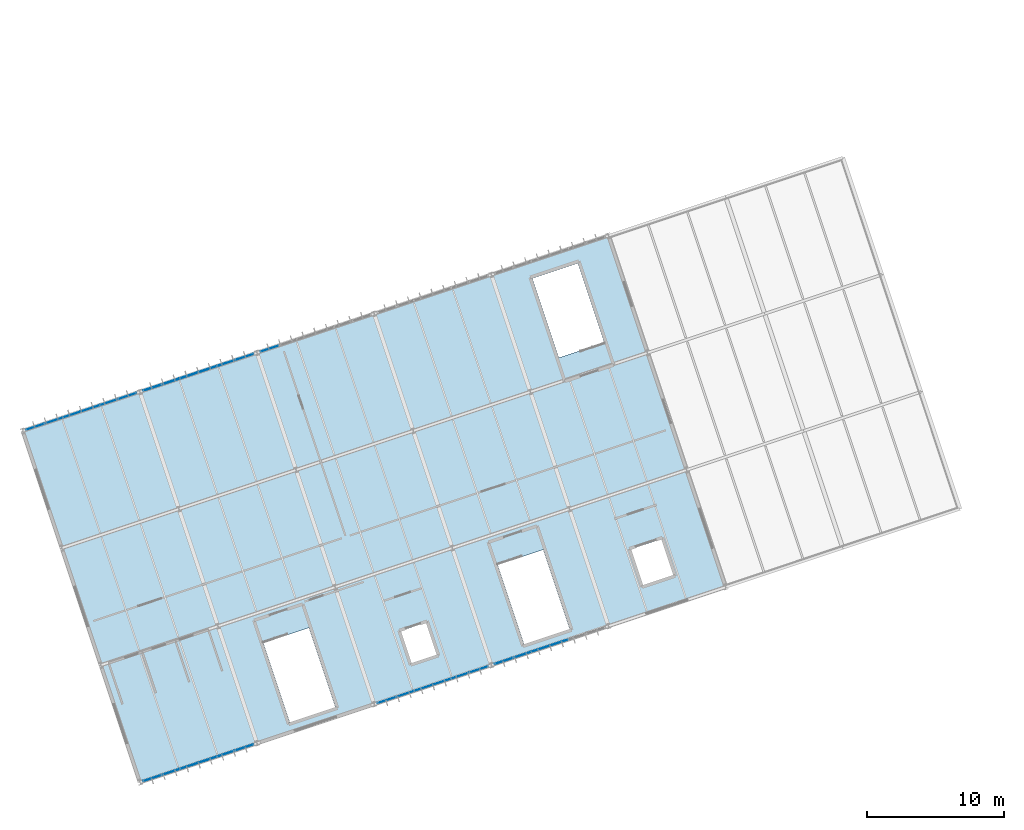
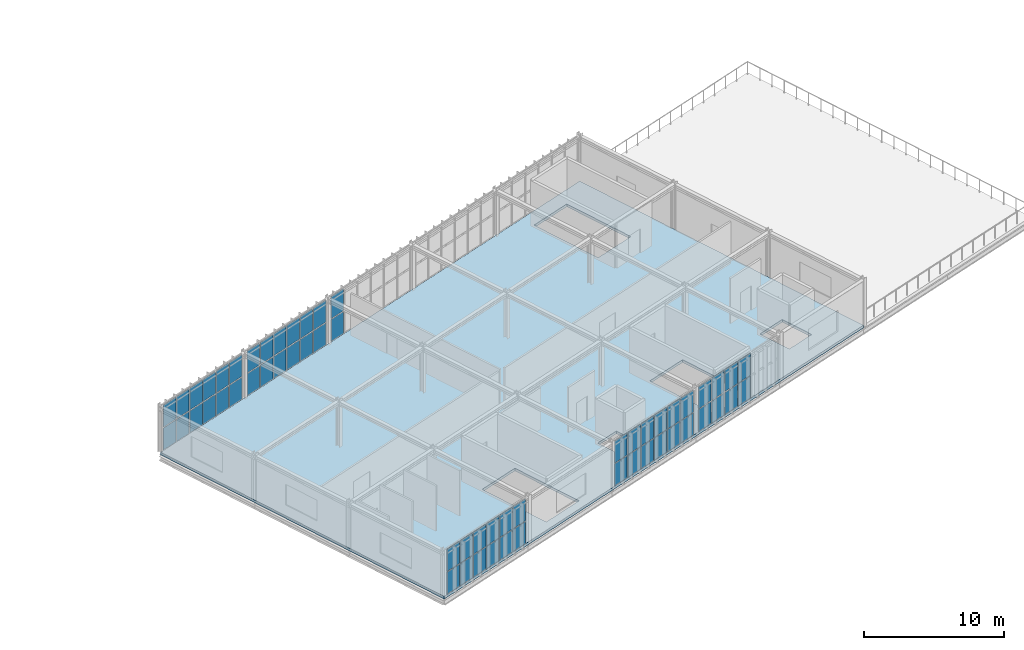
# One storey, part 40 of 61: 58 plates, 1 slab, 6 elements without a shape of their own.
"""IFC4 building model written with IfcOpenShell, lengths in metres."""

import ifcopenshell
import ifcopenshell.guid

model = None  # the IFC model being written
_history = None  # IfcOwnerHistory: only IFC2X3 demands one
_inside = {}  # id of a spatial element -> (the spatial element, [elements in it])
_under = {}  # id of a project, library or spatial element -> (it, [spatial elements below it])
_declared = {}  # id of a project -> (the project, [libraries it declares])
_typed = {}  # id of a type object -> (the type object, [elements of that type])
_made_of = {}  # id of a material, layer set ... -> (it, [elements and type objects made of it])


def new_model(schema):
    """Start an empty IFC model of exactly this schema.

    Asked for "IFC4X3", IfcOpenShell would pick the latest addendum, in which some entities
    have other attributes; the version numbers below select the first issue.
    IFC2X3 requires an IfcOwnerHistory on every rooted entity: one is made here for all.
    """
    global model, _history
    if schema == "IFC4X3":
        model = ifcopenshell.file(schema_version=(4, 3, 0, 0))
    else:
        model = ifcopenshell.file(schema=schema)
    _inside.clear()
    _under.clear()
    _declared.clear()
    _typed.clear()
    _made_of.clear()
    _history = None
    if model.schema == "IFC2X3":
        org = make("IfcOrganization", Name="unknown")
        user = make(
            "IfcPersonAndOrganization",
            ThePerson=make("IfcPerson", FamilyName="unknown"),
            TheOrganization=org,
        )
        app = make(
            "IfcApplication",
            ApplicationDeveloper=org,
            Version="unknown",
            ApplicationFullName="unknown",
            ApplicationIdentifier="unknown",
        )
        _history = make(
            "IfcOwnerHistory",
            OwningUser=user,
            OwningApplication=app,
            ChangeAction="ADDED",
            CreationDate=0,
        )
    return model


def make(cls, **values):
    """One entity of the class cls with the attributes given. An attribute that is None is left unset."""
    return model.create_entity(
        cls, **{name: value for name, value in values.items() if value is not None}
    )


def rooted(cls, **values):
    """An entity with a GlobalId (a new one), such as an element, a storey or a relation."""
    return make(cls, GlobalId=ifcopenshell.guid.new(), OwnerHistory=_history, **values)


def si_unit(unit_type, name, prefix=None):
    """IfcSIUnit, for example si_unit("LENGTHUNIT", "METRE", prefix="MILLI")."""
    return make("IfcSIUnit", UnitType=unit_type, Prefix=prefix, Name=name)


def derived_unit(unit_type, elements):
    """IfcDerivedUnit: a product of units, each with its exponent."""
    return make(
        "IfcDerivedUnit",
        Elements=[
            make("IfcDerivedUnitElement", Unit=unit, Exponent=power)
            for unit, power in elements
        ],
        UnitType=unit_type,
    )


def assignment(units):
    """IfcUnitAssignment: the units of a project."""
    return None if units is None else make("IfcUnitAssignment", Units=units)


def point(xyz):
    """IfcCartesianPoint."""
    return None if xyz is None else make("IfcCartesianPoint", Coordinates=xyz)


def direction(xyz):
    """IfcDirection."""
    return None if xyz is None else make("IfcDirection", DirectionRatios=xyz)


def frame(location, z_axis=None, x_axis=None):
    """IfcAxis2Placement3D, a coordinate frame: its origin and axes. An axis left out is left unset."""
    return make(
        "IfcAxis2Placement3D",
        Location=point(location),
        Axis=direction(z_axis),
        RefDirection=direction(x_axis),
    )


def frame_2d(location, x_axis=None):
    """IfcAxis2Placement2D, a coordinate frame in the plane: its origin and x axis."""
    return make(
        "IfcAxis2Placement2D", Location=point(location), RefDirection=direction(x_axis)
    )


def origin():
    """The frame at (0, 0, 0) with its axes left unset."""
    return frame((0.0, 0.0, 0.0))


def origin_2d():
    """The frame at (0, 0) in the plane with its x axis left unset."""
    return frame_2d((0.0, 0.0))


def place(relative_to, where):
    """IfcLocalPlacement: puts the frame where relative to a parent placement (None: the world)."""
    return make(
        "IfcLocalPlacement", PlacementRelTo=relative_to, RelativePlacement=where
    )


def context(
    kind, dimensions, precision=None, world=None, true_north=None, identifier=None
):
    """IfcGeometricRepresentationContext, for example the 3D "Model" context."""
    return make(
        "IfcGeometricRepresentationContext",
        ContextIdentifier=identifier,
        ContextType=kind,
        CoordinateSpaceDimension=dimensions,
        Precision=precision,
        WorldCoordinateSystem=world,
        TrueNorth=true_north,
    )


def subcontext(parent, identifier, kind, view, scale=None):
    """IfcGeometricRepresentationSubContext, for example "Body" below "Model"."""
    return make(
        "IfcGeometricRepresentationSubContext",
        ContextIdentifier=identifier,
        ContextType=kind,
        ParentContext=parent,
        TargetScale=scale,
        TargetView=view,
    )


def project(units=None, contexts=None):
    """IfcProject with its units and contexts."""
    return rooted(
        "IfcProject",
        Name="project",
        RepresentationContexts=contexts,
        UnitsInContext=assignment(units),
    )


def spatial(cls, under=None, at=None, **own):
    """A site, building, storey or space (cls), placed at a placement, below another one or the project."""
    s = rooted(cls, ObjectPlacement=at, **own)
    if under is not None:
        _under.setdefault(under.id(), (under, []))[1].append(s)
    return s


def polyline(points):
    """IfcPolyline through the points."""
    return make("IfcPolyline", Points=[point(p) for p in points])


def profile(cls, at=None, kind="AREA", **sizes):
    """A parametric profile (cls). Its sizes go by their IFC names, for example OverallWidth=200.0."""
    return make(cls, ProfileType=kind, Position=at, **sizes)


def rectangle(**sizes):
    """IfcRectangleProfileDef."""
    return profile("IfcRectangleProfileDef", **sizes)


def outline(outer, holes=None, kind="AREA"):
    """IfcArbitraryClosedProfileDef: a profile drawn as a closed curve; with holes, ...WithVoids."""
    if holes is None:
        return make("IfcArbitraryClosedProfileDef", ProfileType=kind, OuterCurve=outer)
    return make(
        "IfcArbitraryProfileDefWithVoids",
        ProfileType=kind,
        OuterCurve=outer,
        InnerCurves=holes,
    )


def extrude(swept, where, along, depth):
    """IfcExtrudedAreaSolid: the profile swept, set in the frame where, extruded along a direction by depth."""
    return make(
        "IfcExtrudedAreaSolid",
        SweptArea=swept,
        Position=where,
        ExtrudedDirection=direction(along),
        Depth=depth,
    )


def shape(context_of_items, identifier, shape_type, items):
    """IfcShapeRepresentation: the items that make up one representation, for example the "Body"."""
    return make(
        "IfcShapeRepresentation",
        ContextOfItems=context_of_items,
        RepresentationIdentifier=identifier,
        RepresentationType=shape_type,
        Items=items,
    )


def material(Name=None, Category=None):
    """IfcMaterial."""
    return make("IfcMaterial", Name=Name, Category=Category)


def layer(
    of_material, thickness, ventilated=None, Name=None, Category=None, Priority=None
):
    """IfcMaterialLayer: one layer of a wall or slab, of a material (None: an air gap)."""
    return make(
        "IfcMaterialLayer",
        Material=of_material,
        LayerThickness=thickness,
        IsVentilated=ventilated,
        Name=Name,
        Category=Category,
        Priority=Priority,
    )


def layer_set(layers, Name=None):
    """IfcMaterialLayerSet."""
    return make("IfcMaterialLayerSet", MaterialLayers=layers, LayerSetName=Name)


def made_of(thing, what):
    """Note that an element or type object is made of a material, layer set ...; save() writes the relation."""
    if what is not None:
        _made_of.setdefault(what.id(), (what, []))[1].append(thing)
    return thing


def type_object(cls, material=None, **own):
    """A type object (cls), such as IfcWallType, which elements share."""
    return made_of(rooted(cls, **own), material)


def element(
    cls,
    number,
    at=None,
    inside=None,
    cuts=None,
    type_object=None,
    material=None,
    context=None,
    identifier="Body",
    shape_type=None,
    held_by="IfcProductDefinitionShape",
    body=None,
    shapes=None,
    **own,
):
    """One element of the class cls, such as IfcWall. Its Tag is "e" and its number.

    at: its placement. inside: the storey or other place that contains it. cuts: it is an
    opening in that element (IfcRelVoidsElement). A single representation is given by context,
    identifier, shape_type and body (its items); several are given by shapes. held_by: the class
    of the entity that holds the representations. save() writes the other relations.
    """
    e = rooted(cls, Tag="e%d" % number, ObjectPlacement=at, **own)
    if body is not None:
        shapes = [shape(context, identifier, shape_type, body)]
    if shapes is not None:
        e.Representation = make(held_by, Representations=shapes)
    if inside is not None:
        _inside.setdefault(inside.id(), (inside, []))[1].append(e)
    if cuts is not None:
        rooted(
            "IfcRelVoidsElement", RelatingBuildingElement=cuts, RelatedOpeningElement=e
        )
    if type_object is not None:
        _typed.setdefault(type_object.id(), (type_object, []))[1].append(e)
    return made_of(e, material)


def aggregate(whole, parts):
    """IfcRelAggregates: a whole, such as a stair, and the parts it consists of."""
    return rooted("IfcRelAggregates", RelatingObject=whole, RelatedObjects=parts)


def save(model, path):
    """Write the relations noted so far, then the file.

    IfcRelAggregates (storeys below a building ...), IfcRelContainedInSpatialStructure (elements
    in a storey), IfcRelDefinesByType, IfcRelAssociatesMaterial and IfcRelDeclares: one each for
    every whole, place, type object, material and project.
    """
    for whole, parts in _under.values():
        aggregate(whole, parts)
    for where, things in _inside.values():
        rooted(
            "IfcRelContainedInSpatialStructure",
            RelatedElements=things,
            RelatingStructure=where,
        )
    for kind, things in _typed.values():
        rooted("IfcRelDefinesByType", RelatedObjects=things, RelatingType=kind)
    for what, things in _made_of.values():
        rooted("IfcRelAssociatesMaterial", RelatedObjects=things, RelatingMaterial=what)
    for by, libraries in _declared.values():
        rooted("IfcRelDeclares", RelatingContext=by, RelatedDefinitions=libraries)
    model.write(path)


model = new_model("IFC4")

# Units and contexts
model_context = context("Model", 3, precision=1e-05, world=origin(), true_north=direction((0.0, 1.0)))
body_context = subcontext(model_context, "Body", "Model", "MODEL_VIEW")
ifc_project = project(units=[si_unit("LENGTHUNIT", "METRE"), si_unit("AREAUNIT", "SQUARE_METRE"), si_unit("VOLUMEUNIT", "CUBIC_METRE"), si_unit("PLANEANGLEUNIT", "RADIAN"), si_unit("MASSUNIT", "GRAM", prefix="KILO"), si_unit("THERMODYNAMICTEMPERATUREUNIT", "KELVIN"), si_unit("TIMEUNIT", "SECOND"), derived_unit("THERMALTRANSMITTANCEUNIT", [(si_unit("MASSUNIT", "GRAM", prefix="KILO"), 1), (si_unit("THERMODYNAMICTEMPERATUREUNIT", "KELVIN"), -1), (si_unit("TIMEUNIT", "SECOND"), -3)])], contexts=[model_context])

# Site, building, storey
site_placement = place(None, origin())
site = spatial("IfcSite", under=ifc_project, at=site_placement, CompositionType="ELEMENT")
building_placement = place(site_placement, origin())
building = spatial("IfcBuilding", under=site, at=building_placement, Name="Cambertide Market Hall", CompositionType="ELEMENT")
storey_placement = place(building_placement, frame((0.0, 0.0, 9.89990234375)))
storey = spatial("IfcBuildingStorey", under=building, at=storey_placement, Name="L03", CompositionType="ELEMENT", Elevation=9.89990234375)

# Slab
ifc_material_1 = material(Name="Concrete B30", Category="concrete")
ifc_layer_1 = layer(ifc_material_1, 0.22998046875, Name="Upper Tasting Hall Slab 230")
ifc_layer_set_1 = layer_set([ifc_layer_1], Name="Concrete B30")
slab_type = type_object("IfcSlabType", Name="Upper Tasting Hall Slab 230", PredefinedType="FLOOR", material=ifc_layer_set_1)
slab_placement = place(storey_placement, frame((0.0, 0.0, -0.22998046875)))
element("IfcSlab", 1, at=slab_placement, inside=storey, type_object=slab_type, Name="Level 3 Slab SLB-L03-V3-IN", PredefinedType="FLOOR", context=body_context, shape_type="SweptSolid", body=[
    extrude(outline(polyline([(106.0, 12.0), (148.690673828125, 26.230224609375), (140.152587890625, 51.8447265625), (97.4619140625, 37.614501953125), (106.0, 12.0)]), holes=[polyline([(118.318359375, 23.269775390625), (120.24609375, 17.486572265625), (116.92578125, 16.379638671875), (114.998046875, 22.162841796875), (118.318359375, 23.269775390625)]), polyline([(135.39453125, 28.9619140625), (137.322265625, 23.1787109375), (134.001953125, 22.07177734375), (132.07421875, 27.85498046875), (135.39453125, 28.9619140625)]), polyline([(136.530517578125, 42.94677734375), (134.602783203125, 48.729736328125), (137.923095703125, 49.836669921875), (139.850830078125, 44.053466796875), (136.530517578125, 42.94677734375)]), polyline([(124.989501953125, 23.0205078125), (126.886962890625, 23.653076171875), (127.677490234375, 21.28125), (125.780029296875, 20.64892578125), (124.989501953125, 23.0205078125)]), polyline([(141.765380859375, 28.9814453125), (144.042236328125, 29.740478515625), (144.927734375, 27.083984375), (142.65087890625, 26.3251953125), (141.765380859375, 28.9814453125)])]), origin(), (0.0, 0.0, 1.0), 0.22998046875),
])

# Curtain wall, plates
ifc_material_2 = material(Name="Marine Anodized Aluminium 6063-T6 AA25", Category="aluminium")
curtain_wall_type = type_object("IfcCurtainWallType", Name="Tasting Hall Panorama Curtain Wall", PredefinedType="USERDEFINED", material=ifc_material_2)
curtain_wall_1_placement = place(storey_placement, origin())
curtain_wall_1 = element("IfcCurtainWall", 2, at=curtain_wall_1_placement, inside=storey, type_object=curtain_wall_type, Name="Level 3 Curtain Wall CW-V3N-L03-1", ObjectType="UNITIZED CURTAIN WALL", PredefinedType="USERDEFINED")
ifc_material_3 = material(Name="Low-E Laminated Insulated Glass", Category="glass")
ifc_layer_2 = layer(ifc_material_3, 0.028076171875, Name="Vision Insulated Glazing Panel 28")
ifc_layer_set_2 = layer_set([ifc_layer_2], Name="Low-E Laminated Insulated Glass")
plate_type = type_object("IfcPlateType", Name="Vision Insulated Glazing Panel 28", PredefinedType="CURTAIN_PANEL", material=ifc_layer_set_2)
plate_1_placement = place(storey_placement, frame((98.363037109375, 37.914794921875, 0.0400390625), z_axis=(0.0, 0.0, 1.0), x_axis=(0.948683321523, 0.316227695598, 0.0)))
plate_1 = element("IfcPlate", 3, at=plate_1_placement, type_object=plate_type, Name="CW-V3N-L03-1 Glazing Panel 1-1", PredefinedType="CURTAIN_PANEL", context=body_context, shape_type="SweptSolid", body=[
    extrude(rectangle(XDim=1.340087890625, YDim=0.028076171875, at=origin_2d()), origin(), (0.0, 0.0, 1.0), 1.909912109375),
])
plate_2_placement = place(storey_placement, frame((99.710205078125, 38.364013671875, 0.0400390625), z_axis=(0.0, 0.0, 1.0), x_axis=(0.948683321523, 0.316227695598, 0.0)))
plate_2 = element("IfcPlate", 4, at=plate_2_placement, type_object=plate_type, Name="CW-V3N-L03-1 Glazing Panel 1-2", PredefinedType="CURTAIN_PANEL", context=body_context, shape_type="SweptSolid", body=[
    extrude(rectangle(XDim=1.340087890625, YDim=0.028076171875, at=origin_2d()), origin(), (0.0, 0.0, 1.0), 1.909912109375),
])
plate_3_placement = place(storey_placement, frame((101.057373046875, 38.81298828125, 0.0400390625), z_axis=(0.0, 0.0, 1.0), x_axis=(0.948683321523, 0.316227695598, 0.0)))
plate_3 = element("IfcPlate", 5, at=plate_3_placement, type_object=plate_type, Name="CW-V3N-L03-1 Glazing Panel 1-3", PredefinedType="CURTAIN_PANEL", context=body_context, shape_type="SweptSolid", body=[
    extrude(rectangle(XDim=1.340087890625, YDim=0.028076171875, at=origin_2d()), origin(), (0.0, 0.0, 1.0), 1.909912109375),
])
plate_4_placement = place(storey_placement, frame((102.404541015625, 39.261962890625, 0.0400390625), z_axis=(0.0, 0.0, 1.0), x_axis=(0.948683321523, 0.316227695598, 0.0)))
plate_4 = element("IfcPlate", 6, at=plate_4_placement, type_object=plate_type, Name="CW-V3N-L03-1 Glazing Panel 1-4", PredefinedType="CURTAIN_PANEL", context=body_context, shape_type="SweptSolid", body=[
    extrude(rectangle(XDim=1.340087890625, YDim=0.028076171875, at=origin_2d()), origin(), (0.0, 0.0, 1.0), 1.909912109375),
])
plate_5_placement = place(storey_placement, frame((103.751708984375, 39.7109375, 0.0400390625), z_axis=(0.0, 0.0, 1.0), x_axis=(0.948683321523, 0.316227695598, 0.0)))
plate_5 = element("IfcPlate", 7, at=plate_5_placement, type_object=plate_type, Name="CW-V3N-L03-1 Glazing Panel 1-5", PredefinedType="CURTAIN_PANEL", context=body_context, shape_type="SweptSolid", body=[
    extrude(rectangle(XDim=1.340087890625, YDim=0.028076171875, at=origin_2d()), origin(), (0.0, 0.0, 1.0), 1.909912109375),
])
plate_6_placement = place(storey_placement, frame((105.0986328125, 40.16015625, 0.0400390625), z_axis=(0.0, 0.0, 1.0), x_axis=(0.948683321523, 0.316227695598, 0.0)))
plate_6 = element("IfcPlate", 8, at=plate_6_placement, type_object=plate_type, Name="CW-V3N-L03-1 Glazing Panel 1-6", PredefinedType="CURTAIN_PANEL", context=body_context, shape_type="SweptSolid", body=[
    extrude(rectangle(XDim=1.340087890625, YDim=0.028076171875, at=origin_2d()), origin(), (0.0, 0.0, 1.0), 1.909912109375),
])
plate_7_placement = place(storey_placement, frame((98.363037109375, 37.914794921875, 2.0302734375), z_axis=(0.0, 0.0, 1.0), x_axis=(0.948683321523, 0.316227695598, 0.0)))
plate_7 = element("IfcPlate", 9, at=plate_7_placement, type_object=plate_type, Name="CW-V3N-L03-1 Glazing Panel 2-1", PredefinedType="CURTAIN_PANEL", context=body_context, shape_type="SweptSolid", body=[
    extrude(rectangle(XDim=1.340087890625, YDim=0.028076171875, at=origin_2d()), origin(), (0.0, 0.0, 1.0), 1.909912109375),
])
plate_8_placement = place(storey_placement, frame((99.710205078125, 38.364013671875, 2.0302734375), z_axis=(0.0, 0.0, 1.0), x_axis=(0.948683321523, 0.316227695598, 0.0)))
plate_8 = element("IfcPlate", 10, at=plate_8_placement, type_object=plate_type, Name="CW-V3N-L03-1 Glazing Panel 2-2", PredefinedType="CURTAIN_PANEL", context=body_context, shape_type="SweptSolid", body=[
    extrude(rectangle(XDim=1.340087890625, YDim=0.028076171875, at=origin_2d()), origin(), (0.0, 0.0, 1.0), 1.909912109375),
])
plate_9_placement = place(storey_placement, frame((101.057373046875, 38.81298828125, 2.0302734375), z_axis=(0.0, 0.0, 1.0), x_axis=(0.948683321523, 0.316227695598, 0.0)))
plate_9 = element("IfcPlate", 11, at=plate_9_placement, type_object=plate_type, Name="CW-V3N-L03-1 Glazing Panel 2-3", PredefinedType="CURTAIN_PANEL", context=body_context, shape_type="SweptSolid", body=[
    extrude(rectangle(XDim=1.340087890625, YDim=0.028076171875, at=origin_2d()), origin(), (0.0, 0.0, 1.0), 1.909912109375),
])
plate_10_placement = place(storey_placement, frame((102.404541015625, 39.261962890625, 2.0302734375), z_axis=(0.0, 0.0, 1.0), x_axis=(0.948683321523, 0.316227695598, 0.0)))
plate_10 = element("IfcPlate", 12, at=plate_10_placement, type_object=plate_type, Name="CW-V3N-L03-1 Glazing Panel 2-4", PredefinedType="CURTAIN_PANEL", context=body_context, shape_type="SweptSolid", body=[
    extrude(rectangle(XDim=1.340087890625, YDim=0.028076171875, at=origin_2d()), origin(), (0.0, 0.0, 1.0), 1.909912109375),
])
plate_11_placement = place(storey_placement, frame((103.751708984375, 39.7109375, 2.0302734375), z_axis=(0.0, 0.0, 1.0), x_axis=(0.948683321523, 0.316227695598, 0.0)))
plate_11 = element("IfcPlate", 13, at=plate_11_placement, type_object=plate_type, Name="CW-V3N-L03-1 Glazing Panel 2-5", PredefinedType="CURTAIN_PANEL", context=body_context, shape_type="SweptSolid", body=[
    extrude(rectangle(XDim=1.340087890625, YDim=0.028076171875, at=origin_2d()), origin(), (0.0, 0.0, 1.0), 1.909912109375),
])
plate_12_placement = place(storey_placement, frame((105.0986328125, 40.16015625, 2.0302734375), z_axis=(0.0, 0.0, 1.0), x_axis=(0.948683321523, 0.316227695598, 0.0)))
plate_12 = element("IfcPlate", 14, at=plate_12_placement, type_object=plate_type, Name="CW-V3N-L03-1 Glazing Panel 2-6", PredefinedType="CURTAIN_PANEL", context=body_context, shape_type="SweptSolid", body=[
    extrude(rectangle(XDim=1.340087890625, YDim=0.028076171875, at=origin_2d()), origin(), (0.0, 0.0, 1.0), 1.909912109375),
])
aggregate(curtain_wall_1, [plate_1, plate_2, plate_3, plate_4, plate_5, plate_6, plate_7, plate_8, plate_9, plate_10, plate_11, plate_12])

curtain_wall_2_placement = place(storey_placement, origin())
curtain_wall_2 = element("IfcCurtainWall", 15, at=curtain_wall_2_placement, inside=storey, type_object=curtain_wall_type, Name="Level 3 Curtain Wall CW-V3S-L03-1", ObjectType="UNITIZED CURTAIN WALL", PredefinedType="USERDEFINED")
plate_13_placement = place(storey_placement, frame((113.636962890625, 14.545654296875, 0.0400390625), z_axis=(0.0, 0.0, 1.0), x_axis=(-0.948683321523, -0.316227695598, 0.0)))
plate_13 = element("IfcPlate", 16, at=plate_13_placement, type_object=plate_type, Name="CW-V3S-L03-1 Glazing Panel 1-1", PredefinedType="CURTAIN_PANEL", context=body_context, shape_type="SweptSolid", body=[
    extrude(rectangle(XDim=1.340087890625, YDim=0.028076171875, at=origin_2d()), origin(), (0.0, 0.0, 1.0), 1.909912109375),
])
plate_14_placement = place(storey_placement, frame((112.289794921875, 14.0966796875, 0.0400390625), z_axis=(0.0, 0.0, 1.0), x_axis=(-0.948683321523, -0.316227695598, 0.0)))
plate_14 = element("IfcPlate", 17, at=plate_14_placement, type_object=plate_type, Name="CW-V3S-L03-1 Glazing Panel 1-2", PredefinedType="CURTAIN_PANEL", context=body_context, shape_type="SweptSolid", body=[
    extrude(rectangle(XDim=1.340087890625, YDim=0.028076171875, at=origin_2d()), origin(), (0.0, 0.0, 1.0), 1.909912109375),
])
plate_15_placement = place(storey_placement, frame((110.942626953125, 13.6474609375, 0.0400390625), z_axis=(0.0, 0.0, 1.0), x_axis=(-0.948683321523, -0.316227695598, 0.0)))
plate_15 = element("IfcPlate", 18, at=plate_15_placement, type_object=plate_type, Name="CW-V3S-L03-1 Glazing Panel 1-3", PredefinedType="CURTAIN_PANEL", context=body_context, shape_type="SweptSolid", body=[
    extrude(rectangle(XDim=1.340087890625, YDim=0.028076171875, at=origin_2d()), origin(), (0.0, 0.0, 1.0), 1.909912109375),
])
plate_16_placement = place(storey_placement, frame((109.595458984375, 13.198486328125, 0.0400390625), z_axis=(0.0, 0.0, 1.0), x_axis=(-0.948683321523, -0.316227695598, 0.0)))
plate_16 = element("IfcPlate", 19, at=plate_16_placement, type_object=plate_type, Name="CW-V3S-L03-1 Glazing Panel 1-4", PredefinedType="CURTAIN_PANEL", context=body_context, shape_type="SweptSolid", body=[
    extrude(rectangle(XDim=1.340087890625, YDim=0.028076171875, at=origin_2d()), origin(), (0.0, 0.0, 1.0), 1.909912109375),
])
plate_17_placement = place(storey_placement, frame((108.248291015625, 12.74951171875, 0.0400390625), z_axis=(0.0, 0.0, 1.0), x_axis=(-0.948683321523, -0.316227695598, 0.0)))
plate_17 = element("IfcPlate", 20, at=plate_17_placement, type_object=plate_type, Name="CW-V3S-L03-1 Glazing Panel 1-5", PredefinedType="CURTAIN_PANEL", context=body_context, shape_type="SweptSolid", body=[
    extrude(rectangle(XDim=1.340087890625, YDim=0.028076171875, at=origin_2d()), origin(), (0.0, 0.0, 1.0), 1.909912109375),
])
plate_18_placement = place(storey_placement, frame((106.9013671875, 12.300537109375, 0.0400390625), z_axis=(0.0, 0.0, 1.0), x_axis=(-0.948683321523, -0.316227695598, 0.0)))
plate_18 = element("IfcPlate", 21, at=plate_18_placement, type_object=plate_type, Name="CW-V3S-L03-1 Glazing Panel 1-6", PredefinedType="CURTAIN_PANEL", context=body_context, shape_type="SweptSolid", body=[
    extrude(rectangle(XDim=1.340087890625, YDim=0.028076171875, at=origin_2d()), origin(), (0.0, 0.0, 1.0), 1.909912109375),
])
plate_19_placement = place(storey_placement, frame((113.636962890625, 14.545654296875, 2.0302734375), z_axis=(0.0, 0.0, 1.0), x_axis=(-0.948683321523, -0.316227695598, 0.0)))
plate_19 = element("IfcPlate", 22, at=plate_19_placement, type_object=plate_type, Name="CW-V3S-L03-1 Glazing Panel 2-1", PredefinedType="CURTAIN_PANEL", context=body_context, shape_type="SweptSolid", body=[
    extrude(rectangle(XDim=1.340087890625, YDim=0.028076171875, at=origin_2d()), origin(), (0.0, 0.0, 1.0), 1.909912109375),
])
plate_20_placement = place(storey_placement, frame((112.289794921875, 14.0966796875, 2.0302734375), z_axis=(0.0, 0.0, 1.0), x_axis=(-0.948683321523, -0.316227695598, 0.0)))
plate_20 = element("IfcPlate", 23, at=plate_20_placement, type_object=plate_type, Name="CW-V3S-L03-1 Glazing Panel 2-2", PredefinedType="CURTAIN_PANEL", context=body_context, shape_type="SweptSolid", body=[
    extrude(rectangle(XDim=1.340087890625, YDim=0.028076171875, at=origin_2d()), origin(), (0.0, 0.0, 1.0), 1.909912109375),
])
plate_21_placement = place(storey_placement, frame((110.942626953125, 13.6474609375, 2.0302734375), z_axis=(0.0, 0.0, 1.0), x_axis=(-0.948683321523, -0.316227695598, 0.0)))
plate_21 = element("IfcPlate", 24, at=plate_21_placement, type_object=plate_type, Name="CW-V3S-L03-1 Glazing Panel 2-3", PredefinedType="CURTAIN_PANEL", context=body_context, shape_type="SweptSolid", body=[
    extrude(rectangle(XDim=1.340087890625, YDim=0.028076171875, at=origin_2d()), origin(), (0.0, 0.0, 1.0), 1.909912109375),
])
plate_22_placement = place(storey_placement, frame((109.595458984375, 13.198486328125, 2.0302734375), z_axis=(0.0, 0.0, 1.0), x_axis=(-0.948683321523, -0.316227695598, 0.0)))
plate_22 = element("IfcPlate", 25, at=plate_22_placement, type_object=plate_type, Name="CW-V3S-L03-1 Glazing Panel 2-4", PredefinedType="CURTAIN_PANEL", context=body_context, shape_type="SweptSolid", body=[
    extrude(rectangle(XDim=1.340087890625, YDim=0.028076171875, at=origin_2d()), origin(), (0.0, 0.0, 1.0), 1.909912109375),
])
plate_23_placement = place(storey_placement, frame((108.248291015625, 12.74951171875, 2.0302734375), z_axis=(0.0, 0.0, 1.0), x_axis=(-0.948683321523, -0.316227695598, 0.0)))
plate_23 = element("IfcPlate", 26, at=plate_23_placement, type_object=plate_type, Name="CW-V3S-L03-1 Glazing Panel 2-5", PredefinedType="CURTAIN_PANEL", context=body_context, shape_type="SweptSolid", body=[
    extrude(rectangle(XDim=1.340087890625, YDim=0.028076171875, at=origin_2d()), origin(), (0.0, 0.0, 1.0), 1.909912109375),
])
plate_24_placement = place(storey_placement, frame((106.9013671875, 12.300537109375, 2.0302734375), z_axis=(0.0, 0.0, 1.0), x_axis=(-0.948683321523, -0.316227695598, 0.0)))
plate_24 = element("IfcPlate", 27, at=plate_24_placement, type_object=plate_type, Name="CW-V3S-L03-1 Glazing Panel 2-6", PredefinedType="CURTAIN_PANEL", context=body_context, shape_type="SweptSolid", body=[
    extrude(rectangle(XDim=1.340087890625, YDim=0.028076171875, at=origin_2d()), origin(), (0.0, 0.0, 1.0), 1.909912109375),
])
aggregate(curtain_wall_2, [plate_13, plate_14, plate_15, plate_16, plate_17, plate_18, plate_19, plate_20, plate_21, plate_22, plate_23, plate_24])

curtain_wall_3_placement = place(storey_placement, origin())
curtain_wall_3 = element("IfcCurtainWall", 28, at=curtain_wall_3_placement, inside=storey, type_object=curtain_wall_type, Name="Level 3 Curtain Wall CW-V3N-L03-2", ObjectType="UNITIZED CURTAIN WALL", PredefinedType="USERDEFINED")
plate_25_placement = place(storey_placement, frame((106.9013671875, 40.760986328125, 0.0400390625), z_axis=(0.0, 0.0, 1.0), x_axis=(0.948683321523, 0.316227695598, 0.0)))
plate_25 = element("IfcPlate", 29, at=plate_25_placement, type_object=plate_type, Name="CW-V3N-L03-2 Glazing Panel 1-1", PredefinedType="CURTAIN_PANEL", context=body_context, shape_type="SweptSolid", body=[
    extrude(rectangle(XDim=1.340087890625, YDim=0.028076171875, at=origin_2d()), origin(), (0.0, 0.0, 1.0), 1.909912109375),
])
plate_26_placement = place(storey_placement, frame((108.248291015625, 41.2099609375, 0.0400390625), z_axis=(0.0, 0.0, 1.0), x_axis=(0.948683321523, 0.316227695598, 0.0)))
plate_26 = element("IfcPlate", 30, at=plate_26_placement, type_object=plate_type, Name="CW-V3N-L03-2 Glazing Panel 1-2", PredefinedType="CURTAIN_PANEL", context=body_context, shape_type="SweptSolid", body=[
    extrude(rectangle(XDim=1.340087890625, YDim=0.028076171875, at=origin_2d()), origin(), (0.0, 0.0, 1.0), 1.909912109375),
])
plate_27_placement = place(storey_placement, frame((109.595458984375, 41.658935546875, 0.0400390625), z_axis=(0.0, 0.0, 1.0), x_axis=(0.948683321523, 0.316227695598, 0.0)))
plate_27 = element("IfcPlate", 31, at=plate_27_placement, type_object=plate_type, Name="CW-V3N-L03-2 Glazing Panel 1-3", PredefinedType="CURTAIN_PANEL", context=body_context, shape_type="SweptSolid", body=[
    extrude(rectangle(XDim=1.340087890625, YDim=0.028076171875, at=origin_2d()), origin(), (0.0, 0.0, 1.0), 1.909912109375),
])
plate_28_placement = place(storey_placement, frame((110.942626953125, 42.108154296875, 0.0400390625), z_axis=(0.0, 0.0, 1.0), x_axis=(0.948683321523, 0.316227695598, 0.0)))
plate_28 = element("IfcPlate", 32, at=plate_28_placement, type_object=plate_type, Name="CW-V3N-L03-2 Glazing Panel 1-4", PredefinedType="CURTAIN_PANEL", context=body_context, shape_type="SweptSolid", body=[
    extrude(rectangle(XDim=1.340087890625, YDim=0.028076171875, at=origin_2d()), origin(), (0.0, 0.0, 1.0), 1.909912109375),
])
plate_29_placement = place(storey_placement, frame((112.289794921875, 42.55712890625, 0.0400390625), z_axis=(0.0, 0.0, 1.0), x_axis=(0.948683321523, 0.316227695598, 0.0)))
plate_29 = element("IfcPlate", 33, at=plate_29_placement, type_object=plate_type, Name="CW-V3N-L03-2 Glazing Panel 1-5", PredefinedType="CURTAIN_PANEL", context=body_context, shape_type="SweptSolid", body=[
    extrude(rectangle(XDim=1.340087890625, YDim=0.028076171875, at=origin_2d()), origin(), (0.0, 0.0, 1.0), 1.909912109375),
])
plate_30_placement = place(storey_placement, frame((113.636962890625, 43.006103515625, 0.0400390625), z_axis=(0.0, 0.0, 1.0), x_axis=(0.948683321523, 0.316227695598, 0.0)))
plate_30 = element("IfcPlate", 34, at=plate_30_placement, type_object=plate_type, Name="CW-V3N-L03-2 Glazing Panel 1-6", PredefinedType="CURTAIN_PANEL", context=body_context, shape_type="SweptSolid", body=[
    extrude(rectangle(XDim=1.340087890625, YDim=0.028076171875, at=origin_2d()), origin(), (0.0, 0.0, 1.0), 1.909912109375),
])
plate_31_placement = place(storey_placement, frame((106.9013671875, 40.760986328125, 2.0302734375), z_axis=(0.0, 0.0, 1.0), x_axis=(0.948683321523, 0.316227695598, 0.0)))
plate_31 = element("IfcPlate", 35, at=plate_31_placement, type_object=plate_type, Name="CW-V3N-L03-2 Glazing Panel 2-1", PredefinedType="CURTAIN_PANEL", context=body_context, shape_type="SweptSolid", body=[
    extrude(rectangle(XDim=1.340087890625, YDim=0.028076171875, at=origin_2d()), origin(), (0.0, 0.0, 1.0), 1.909912109375),
])
plate_32_placement = place(storey_placement, frame((108.248291015625, 41.2099609375, 2.0302734375), z_axis=(0.0, 0.0, 1.0), x_axis=(0.948683321523, 0.316227695598, 0.0)))
plate_32 = element("IfcPlate", 36, at=plate_32_placement, type_object=plate_type, Name="CW-V3N-L03-2 Glazing Panel 2-2", PredefinedType="CURTAIN_PANEL", context=body_context, shape_type="SweptSolid", body=[
    extrude(rectangle(XDim=1.340087890625, YDim=0.028076171875, at=origin_2d()), origin(), (0.0, 0.0, 1.0), 1.909912109375),
])
plate_33_placement = place(storey_placement, frame((109.595458984375, 41.658935546875, 2.0302734375), z_axis=(0.0, 0.0, 1.0), x_axis=(0.948683321523, 0.316227695598, 0.0)))
plate_33 = element("IfcPlate", 37, at=plate_33_placement, type_object=plate_type, Name="CW-V3N-L03-2 Glazing Panel 2-3", PredefinedType="CURTAIN_PANEL", context=body_context, shape_type="SweptSolid", body=[
    extrude(rectangle(XDim=1.340087890625, YDim=0.028076171875, at=origin_2d()), origin(), (0.0, 0.0, 1.0), 1.909912109375),
])
plate_34_placement = place(storey_placement, frame((110.942626953125, 42.108154296875, 2.0302734375), z_axis=(0.0, 0.0, 1.0), x_axis=(0.948683321523, 0.316227695598, 0.0)))
plate_34 = element("IfcPlate", 38, at=plate_34_placement, type_object=plate_type, Name="CW-V3N-L03-2 Glazing Panel 2-4", PredefinedType="CURTAIN_PANEL", context=body_context, shape_type="SweptSolid", body=[
    extrude(rectangle(XDim=1.340087890625, YDim=0.028076171875, at=origin_2d()), origin(), (0.0, 0.0, 1.0), 1.909912109375),
])
plate_35_placement = place(storey_placement, frame((112.289794921875, 42.55712890625, 2.0302734375), z_axis=(0.0, 0.0, 1.0), x_axis=(0.948683321523, 0.316227695598, 0.0)))
plate_35 = element("IfcPlate", 39, at=plate_35_placement, type_object=plate_type, Name="CW-V3N-L03-2 Glazing Panel 2-5", PredefinedType="CURTAIN_PANEL", context=body_context, shape_type="SweptSolid", body=[
    extrude(rectangle(XDim=1.340087890625, YDim=0.028076171875, at=origin_2d()), origin(), (0.0, 0.0, 1.0), 1.909912109375),
])
plate_36_placement = place(storey_placement, frame((113.636962890625, 43.006103515625, 2.0302734375), z_axis=(0.0, 0.0, 1.0), x_axis=(0.948683321523, 0.316227695598, 0.0)))
plate_36 = element("IfcPlate", 40, at=plate_36_placement, type_object=plate_type, Name="CW-V3N-L03-2 Glazing Panel 2-6", PredefinedType="CURTAIN_PANEL", context=body_context, shape_type="SweptSolid", body=[
    extrude(rectangle(XDim=1.340087890625, YDim=0.028076171875, at=origin_2d()), origin(), (0.0, 0.0, 1.0), 1.909912109375),
])
aggregate(curtain_wall_3, [plate_25, plate_26, plate_27, plate_28, plate_29, plate_30, plate_31, plate_32, plate_33, plate_34, plate_35, plate_36])

curtain_wall_4_placement = place(storey_placement, origin())
curtain_wall_4 = element("IfcCurtainWall", 41, at=curtain_wall_4_placement, inside=storey, type_object=curtain_wall_type, Name="Level 3 Curtain Wall CW-V3N-L03-3", ObjectType="UNITIZED CURTAIN WALL", PredefinedType="USERDEFINED")
plate_37_placement = place(storey_placement, frame((115.439453125, 43.60693359375, 0.0400390625), z_axis=(0.0, 0.0, 1.0), x_axis=(0.948683274577, 0.316227836438, 0.0)))
plate_37 = element("IfcPlate", 42, at=plate_37_placement, type_object=plate_type, Name="CW-V3N-L03-3 Glazing Panel 1-1", PredefinedType="CURTAIN_PANEL", context=body_context, shape_type="SweptSolid", body=[
    extrude(rectangle(XDim=1.340087890625, YDim=0.028076171875, at=origin_2d()), origin(), (0.0, 0.0, 1.0), 1.909912109375),
])
plate_38_placement = place(storey_placement, frame((115.439453125, 43.60693359375, 2.0302734375), z_axis=(0.0, 0.0, 1.0), x_axis=(0.948683274577, 0.316227836438, 0.0)))
plate_38 = element("IfcPlate", 43, at=plate_38_placement, type_object=plate_type, Name="CW-V3N-L03-3 Glazing Panel 2-1", PredefinedType="CURTAIN_PANEL", context=body_context, shape_type="SweptSolid", body=[
    extrude(rectangle(XDim=1.340087890625, YDim=0.028076171875, at=origin_2d()), origin(), (0.0, 0.0, 1.0), 1.909912109375),
])
aggregate(curtain_wall_4, [plate_37, plate_38])

curtain_wall_5_placement = place(storey_placement, origin())
curtain_wall_5 = element("IfcCurtainWall", 44, at=curtain_wall_5_placement, inside=storey, type_object=curtain_wall_type, Name="Level 3 Curtain Wall CW-V3S-L03-3", ObjectType="UNITIZED CURTAIN WALL", PredefinedType="USERDEFINED")
plate_39_placement = place(storey_placement, frame((130.713134765625, 20.23779296875, 0.0400390625), z_axis=(0.0, 0.0, 1.0), x_axis=(-0.948683286311, -0.316227801236, 0.0)))
plate_39 = element("IfcPlate", 45, at=plate_39_placement, type_object=plate_type, Name="CW-V3S-L03-3 Glazing Panel 1-1", PredefinedType="CURTAIN_PANEL", context=body_context, shape_type="SweptSolid", body=[
    extrude(rectangle(XDim=1.340087890625, YDim=0.028076171875, at=origin_2d()), origin(), (0.0, 0.0, 1.0), 1.909912109375),
])
plate_40_placement = place(storey_placement, frame((129.365966796875, 19.78857421875, 0.0400390625), z_axis=(0.0, 0.0, 1.0), x_axis=(-0.948683286311, -0.316227801236, 0.0)))
plate_40 = element("IfcPlate", 46, at=plate_40_placement, type_object=plate_type, Name="CW-V3S-L03-3 Glazing Panel 1-2", PredefinedType="CURTAIN_PANEL", context=body_context, shape_type="SweptSolid", body=[
    extrude(rectangle(XDim=1.340087890625, YDim=0.028076171875, at=origin_2d()), origin(), (0.0, 0.0, 1.0), 1.909912109375),
])
plate_41_placement = place(storey_placement, frame((128.01904296875, 19.339599609375, 0.0400390625), z_axis=(0.0, 0.0, 1.0), x_axis=(-0.948683286311, -0.316227801236, 0.0)))
plate_41 = element("IfcPlate", 47, at=plate_41_placement, type_object=plate_type, Name="CW-V3S-L03-3 Glazing Panel 1-3", PredefinedType="CURTAIN_PANEL", context=body_context, shape_type="SweptSolid", body=[
    extrude(rectangle(XDim=1.340087890625, YDim=0.028076171875, at=origin_2d()), origin(), (0.0, 0.0, 1.0), 1.909912109375),
])
plate_42_placement = place(storey_placement, frame((126.671875, 18.890625, 0.0400390625), z_axis=(0.0, 0.0, 1.0), x_axis=(-0.948683286311, -0.316227801236, 0.0)))
plate_42 = element("IfcPlate", 48, at=plate_42_placement, type_object=plate_type, Name="CW-V3S-L03-3 Glazing Panel 1-4", PredefinedType="CURTAIN_PANEL", context=body_context, shape_type="SweptSolid", body=[
    extrude(rectangle(XDim=1.340087890625, YDim=0.028076171875, at=origin_2d()), origin(), (0.0, 0.0, 1.0), 1.909912109375),
])
plate_43_placement = place(storey_placement, frame((125.32470703125, 18.441650390625, 0.0400390625), z_axis=(0.0, 0.0, 1.0), x_axis=(-0.948683286311, -0.316227801236, 0.0)))
plate_43 = element("IfcPlate", 49, at=plate_43_placement, type_object=plate_type, Name="CW-V3S-L03-3 Glazing Panel 1-5", PredefinedType="CURTAIN_PANEL", context=body_context, shape_type="SweptSolid", body=[
    extrude(rectangle(XDim=1.340087890625, YDim=0.028076171875, at=origin_2d()), origin(), (0.0, 0.0, 1.0), 1.909912109375),
])
plate_44_placement = place(storey_placement, frame((123.9775390625, 17.992431640625, 0.0400390625), z_axis=(0.0, 0.0, 1.0), x_axis=(-0.948683286311, -0.316227801236, 0.0)))
plate_44 = element("IfcPlate", 50, at=plate_44_placement, type_object=plate_type, Name="CW-V3S-L03-3 Glazing Panel 1-6", PredefinedType="CURTAIN_PANEL", context=body_context, shape_type="SweptSolid", body=[
    extrude(rectangle(XDim=1.340087890625, YDim=0.028076171875, at=origin_2d()), origin(), (0.0, 0.0, 1.0), 1.909912109375),
])
plate_45_placement = place(storey_placement, frame((130.713134765625, 20.23779296875, 2.0302734375), z_axis=(0.0, 0.0, 1.0), x_axis=(-0.948683286311, -0.316227801236, 0.0)))
plate_45 = element("IfcPlate", 51, at=plate_45_placement, type_object=plate_type, Name="CW-V3S-L03-3 Glazing Panel 2-1", PredefinedType="CURTAIN_PANEL", context=body_context, shape_type="SweptSolid", body=[
    extrude(rectangle(XDim=1.340087890625, YDim=0.028076171875, at=origin_2d()), origin(), (0.0, 0.0, 1.0), 1.909912109375),
])
plate_46_placement = place(storey_placement, frame((129.365966796875, 19.78857421875, 2.0302734375), z_axis=(0.0, 0.0, 1.0), x_axis=(-0.948683286311, -0.316227801236, 0.0)))
plate_46 = element("IfcPlate", 52, at=plate_46_placement, type_object=plate_type, Name="CW-V3S-L03-3 Glazing Panel 2-2", PredefinedType="CURTAIN_PANEL", context=body_context, shape_type="SweptSolid", body=[
    extrude(rectangle(XDim=1.340087890625, YDim=0.028076171875, at=origin_2d()), origin(), (0.0, 0.0, 1.0), 1.909912109375),
])
plate_47_placement = place(storey_placement, frame((128.01904296875, 19.339599609375, 2.0302734375), z_axis=(0.0, 0.0, 1.0), x_axis=(-0.948683286311, -0.316227801236, 0.0)))
plate_47 = element("IfcPlate", 53, at=plate_47_placement, type_object=plate_type, Name="CW-V3S-L03-3 Glazing Panel 2-3", PredefinedType="CURTAIN_PANEL", context=body_context, shape_type="SweptSolid", body=[
    extrude(rectangle(XDim=1.340087890625, YDim=0.028076171875, at=origin_2d()), origin(), (0.0, 0.0, 1.0), 1.909912109375),
])
plate_48_placement = place(storey_placement, frame((126.671875, 18.890625, 2.0302734375), z_axis=(0.0, 0.0, 1.0), x_axis=(-0.948683286311, -0.316227801236, 0.0)))
plate_48 = element("IfcPlate", 54, at=plate_48_placement, type_object=plate_type, Name="CW-V3S-L03-3 Glazing Panel 2-4", PredefinedType="CURTAIN_PANEL", context=body_context, shape_type="SweptSolid", body=[
    extrude(rectangle(XDim=1.340087890625, YDim=0.028076171875, at=origin_2d()), origin(), (0.0, 0.0, 1.0), 1.909912109375),
])
plate_49_placement = place(storey_placement, frame((125.32470703125, 18.441650390625, 2.0302734375), z_axis=(0.0, 0.0, 1.0), x_axis=(-0.948683286311, -0.316227801236, 0.0)))
plate_49 = element("IfcPlate", 55, at=plate_49_placement, type_object=plate_type, Name="CW-V3S-L03-3 Glazing Panel 2-5", PredefinedType="CURTAIN_PANEL", context=body_context, shape_type="SweptSolid", body=[
    extrude(rectangle(XDim=1.340087890625, YDim=0.028076171875, at=origin_2d()), origin(), (0.0, 0.0, 1.0), 1.909912109375),
])
plate_50_placement = place(storey_placement, frame((123.9775390625, 17.992431640625, 2.0302734375), z_axis=(0.0, 0.0, 1.0), x_axis=(-0.948683286311, -0.316227801236, 0.0)))
plate_50 = element("IfcPlate", 56, at=plate_50_placement, type_object=plate_type, Name="CW-V3S-L03-3 Glazing Panel 2-6", PredefinedType="CURTAIN_PANEL", context=body_context, shape_type="SweptSolid", body=[
    extrude(rectangle(XDim=1.340087890625, YDim=0.028076171875, at=origin_2d()), origin(), (0.0, 0.0, 1.0), 1.909912109375),
])
aggregate(curtain_wall_5, [plate_39, plate_40, plate_41, plate_42, plate_43, plate_44, plate_45, plate_46, plate_47, plate_48, plate_49, plate_50])

curtain_wall_6_placement = place(storey_placement, origin())
curtain_wall_6 = element("IfcCurtainWall", 57, at=curtain_wall_6_placement, inside=storey, type_object=curtain_wall_type, Name="Level 3 Curtain Wall CW-V3S-L03-4", ObjectType="UNITIZED CURTAIN WALL", PredefinedType="USERDEFINED")
plate_51_placement = place(storey_placement, frame((136.55712890625, 22.185791015625, 0.0400390625), z_axis=(0.0, 0.0, 1.0), x_axis=(-0.948683286311, -0.316227801236, 0.0)))
plate_51 = element("IfcPlate", 58, at=plate_51_placement, type_object=plate_type, Name="CW-V3S-L03-4 Glazing Panel 1-3", PredefinedType="CURTAIN_PANEL", context=body_context, shape_type="SweptSolid", body=[
    extrude(rectangle(XDim=1.340087890625, YDim=0.028076171875, at=origin_2d()), origin(), (0.0, 0.0, 1.0), 1.909912109375),
])
plate_52_placement = place(storey_placement, frame((135.2099609375, 21.736572265625, 0.0400390625), z_axis=(0.0, 0.0, 1.0), x_axis=(-0.948683286311, -0.316227801236, 0.0)))
plate_52 = element("IfcPlate", 59, at=plate_52_placement, type_object=plate_type, Name="CW-V3S-L03-4 Glazing Panel 1-4", PredefinedType="CURTAIN_PANEL", context=body_context, shape_type="SweptSolid", body=[
    extrude(rectangle(XDim=1.340087890625, YDim=0.028076171875, at=origin_2d()), origin(), (0.0, 0.0, 1.0), 1.909912109375),
])
plate_53_placement = place(storey_placement, frame((133.86279296875, 21.28759765625, 0.0400390625), z_axis=(0.0, 0.0, 1.0), x_axis=(-0.948683286311, -0.316227801236, 0.0)))
plate_53 = element("IfcPlate", 60, at=plate_53_placement, type_object=plate_type, Name="CW-V3S-L03-4 Glazing Panel 1-5", PredefinedType="CURTAIN_PANEL", context=body_context, shape_type="SweptSolid", body=[
    extrude(rectangle(XDim=1.340087890625, YDim=0.028076171875, at=origin_2d()), origin(), (0.0, 0.0, 1.0), 1.909912109375),
])
plate_54_placement = place(storey_placement, frame((132.515625, 20.838623046875, 0.0400390625), z_axis=(0.0, 0.0, 1.0), x_axis=(-0.948683286311, -0.316227801236, 0.0)))
plate_54 = element("IfcPlate", 61, at=plate_54_placement, type_object=plate_type, Name="CW-V3S-L03-4 Glazing Panel 1-6", PredefinedType="CURTAIN_PANEL", context=body_context, shape_type="SweptSolid", body=[
    extrude(rectangle(XDim=1.340087890625, YDim=0.028076171875, at=origin_2d()), origin(), (0.0, 0.0, 1.0), 1.909912109375),
])
plate_55_placement = place(storey_placement, frame((136.55712890625, 22.185791015625, 2.0302734375), z_axis=(0.0, 0.0, 1.0), x_axis=(-0.948683286311, -0.316227801236, 0.0)))
plate_55 = element("IfcPlate", 62, at=plate_55_placement, type_object=plate_type, Name="CW-V3S-L03-4 Glazing Panel 2-3", PredefinedType="CURTAIN_PANEL", context=body_context, shape_type="SweptSolid", body=[
    extrude(rectangle(XDim=1.340087890625, YDim=0.028076171875, at=origin_2d()), origin(), (0.0, 0.0, 1.0), 1.909912109375),
])
plate_56_placement = place(storey_placement, frame((135.2099609375, 21.736572265625, 2.0302734375), z_axis=(0.0, 0.0, 1.0), x_axis=(-0.948683286311, -0.316227801236, 0.0)))
plate_56 = element("IfcPlate", 63, at=plate_56_placement, type_object=plate_type, Name="CW-V3S-L03-4 Glazing Panel 2-4", PredefinedType="CURTAIN_PANEL", context=body_context, shape_type="SweptSolid", body=[
    extrude(rectangle(XDim=1.340087890625, YDim=0.028076171875, at=origin_2d()), origin(), (0.0, 0.0, 1.0), 1.909912109375),
])
plate_57_placement = place(storey_placement, frame((133.86279296875, 21.28759765625, 2.0302734375), z_axis=(0.0, 0.0, 1.0), x_axis=(-0.948683286311, -0.316227801236, 0.0)))
plate_57 = element("IfcPlate", 64, at=plate_57_placement, type_object=plate_type, Name="CW-V3S-L03-4 Glazing Panel 2-5", PredefinedType="CURTAIN_PANEL", context=body_context, shape_type="SweptSolid", body=[
    extrude(rectangle(XDim=1.340087890625, YDim=0.028076171875, at=origin_2d()), origin(), (0.0, 0.0, 1.0), 1.909912109375),
])
plate_58_placement = place(storey_placement, frame((132.515625, 20.838623046875, 2.0302734375), z_axis=(0.0, 0.0, 1.0), x_axis=(-0.948683286311, -0.316227801236, 0.0)))
plate_58 = element("IfcPlate", 65, at=plate_58_placement, type_object=plate_type, Name="CW-V3S-L03-4 Glazing Panel 2-6", PredefinedType="CURTAIN_PANEL", context=body_context, shape_type="SweptSolid", body=[
    extrude(rectangle(XDim=1.340087890625, YDim=0.028076171875, at=origin_2d()), origin(), (0.0, 0.0, 1.0), 1.909912109375),
])
aggregate(curtain_wall_6, [plate_51, plate_52, plate_53, plate_54, plate_55, plate_56, plate_57, plate_58])

save(model, "model.ifc")
